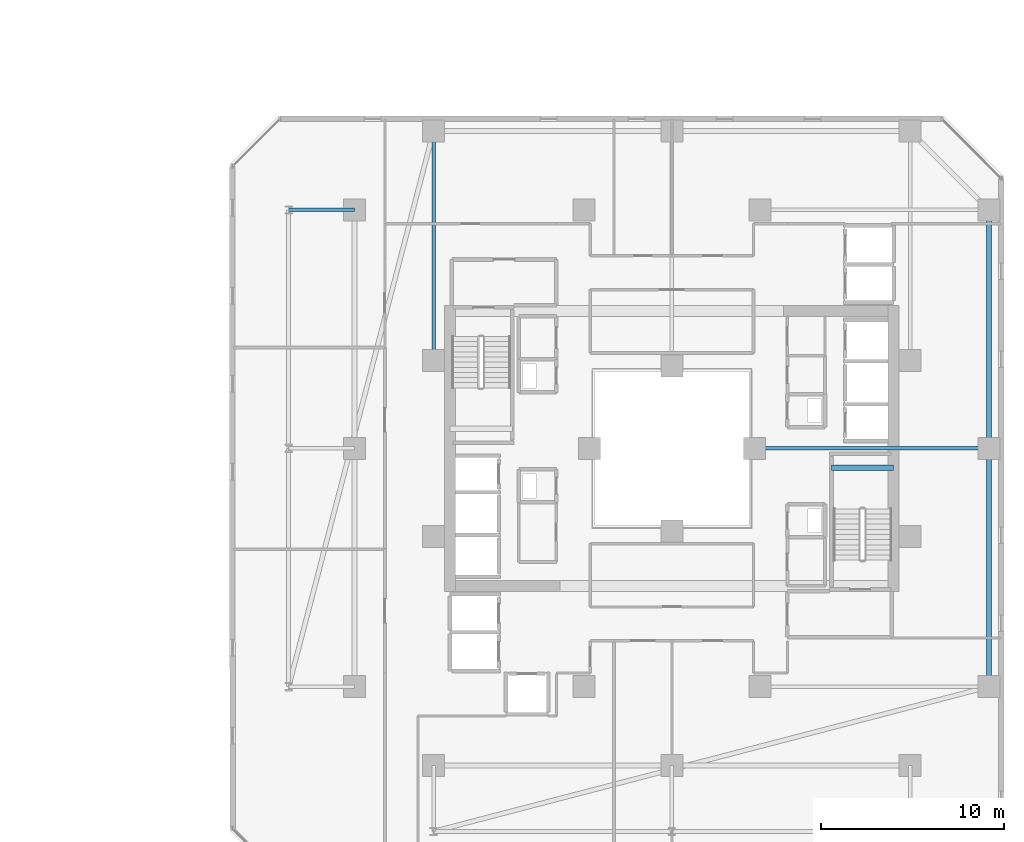
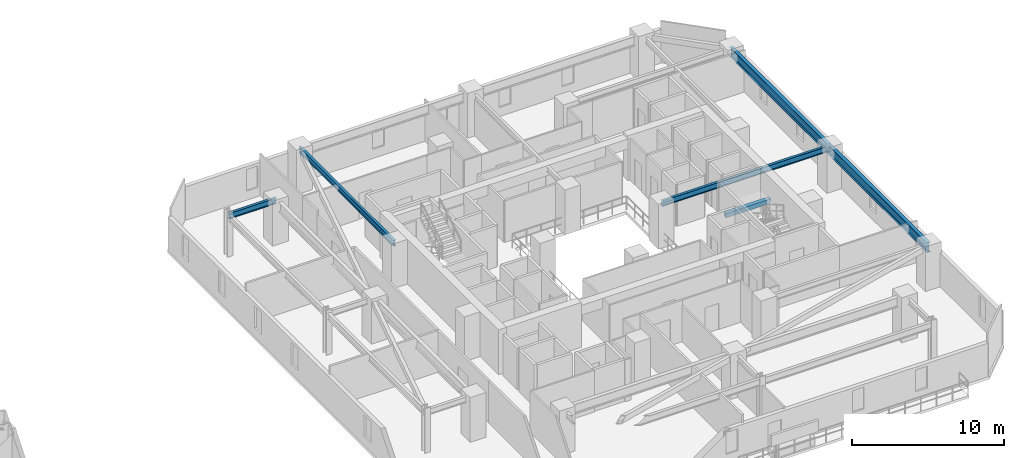
# One storey, part 14 of 33: 6 beams.
"""IFC4 building model written with IfcOpenShell, lengths in metres."""

from ifc_helpers import new_model, si_unit, direction, frame, origin, origin_2d, place, context, subcontext, project, spatial, rectangle, i_section, extrude, material, material_profile, profile_set, type_object, element, save


model = new_model("IFC4")

# Units and contexts
model_context = context("Model", 3, precision=1e-05, world=origin(), true_north=direction((0.0, 1.0)))
body_context = subcontext(model_context, "Body", "Model", "MODEL_VIEW")
ifc_project = project(units=[si_unit("LENGTHUNIT", "METRE"), si_unit("AREAUNIT", "SQUARE_METRE"), si_unit("VOLUMEUNIT", "CUBIC_METRE"), si_unit("PLANEANGLEUNIT", "RADIAN"), si_unit("MASSUNIT", "GRAM", prefix="KILO")], contexts=[model_context])

# Site, building, storey
site_placement = place(None, origin())
site = spatial("IfcSite", under=ifc_project, at=site_placement, CompositionType="ELEMENT")
building_placement = place(site_placement, origin())
building = spatial("IfcBuilding", under=site, at=building_placement, Name="Thornwick Lancets Civic Towers", CompositionType="ELEMENT")
storey_placement = place(building_placement, frame((0.0, 0.0, 108.89990234375)))
storey = spatial("IfcBuildingStorey", under=building, at=storey_placement, Name="L28", CompositionType="ELEMENT", Elevation=108.89990234375)

# Beams
ifc_material_1 = material(Name="Steel S355JR", Category="steel")
ifc_material_profile_1 = material_profile(ifc_material_1, i_section(OverallWidth=0.26806640625, OverallDepth=0.769775390625, WebThickness=0.015625, FlangeThickness=0.025390625, FilletRadius=0.0166015625, at=origin_2d()), Name="UKB 762x267x197")
ifc_profile_set_1 = profile_set([ifc_material_profile_1], Name="Steel S355JR")
beam_type_1 = type_object("IfcBeamType", Name="BM_GIRD_762_197", PredefinedType="BEAM", material=ifc_profile_set_1)
beam_1_placement = place(storey_placement, frame((105.800048828125, 14.0, 2.97509765625), z_axis=(0.0, 1.0, 0.0), x_axis=(-1.0, 0.0, 0.0)))
element("IfcBeam", 1, at=beam_1_placement, inside=storey, type_object=beam_type_1, Name="BM-SPINE-L28-B-0-1", PredefinedType="BEAM", context=body_context, shape_type="SweptSolid", body=[
    extrude(i_section(OverallWidth=0.26806640625, OverallDepth=0.769775390625, WebThickness=0.015625, FlangeThickness=0.025390625, FilletRadius=0.0166015625, at=origin_2d()), origin(), (0.0, 0.0, 1.0), 13.0),
])
beam_2_placement = place(storey_placement, frame((105.800048828125, 27.080078125, 2.97509765625), z_axis=(0.0, 1.0, 0.0), x_axis=(-1.0, 0.0, 0.0)))
element("IfcBeam", 2, at=beam_2_placement, inside=storey, type_object=beam_type_1, Name="BM-SPINE-L28-B-1-2", PredefinedType="BEAM", context=body_context, shape_type="SweptSolid", body=[
    extrude(i_section(OverallWidth=0.26806640625, OverallDepth=0.769775390625, WebThickness=0.015625, FlangeThickness=0.025390625, FilletRadius=0.0166015625, at=origin_2d()), origin(), (0.0, 0.0, 1.0), 12.919921875),
])
ifc_material_profile_2 = material_profile(ifc_material_1, i_section(OverallWidth=0.19189453125, OverallDepth=0.46337890625, WebThickness=0.010498046875, FlangeThickness=0.017578125, FilletRadius=0.01025390625, at=origin_2d()), Name="UKB 457x191x89")
ifc_profile_set_2 = profile_set([ifc_material_profile_2], Name="Steel S355JR")
beam_type_2 = type_object("IfcBeamType", Name="BM_JOIST_457_89", PredefinedType="JOIST", material=ifc_profile_set_2)
beam_3_placement = place(storey_placement, frame((93.0, 27.0, 3.12841796875), z_axis=(1.0, 0.0, 0.0), x_axis=(0.0, 1.0, 0.0)))
element("IfcBeam", 3, at=beam_3_placement, inside=storey, type_object=beam_type_2, Name="BM-RADIN-L28-B02", PredefinedType="JOIST", context=body_context, shape_type="SweptSolid", body=[
    extrude(i_section(OverallWidth=0.19189453125, OverallDepth=0.46337890625, WebThickness=0.010498046875, FlangeThickness=0.017578125, FilletRadius=0.01025390625, at=origin_2d()), origin(), (0.0, 0.0, 1.0), 12.800048828125),
])
beam_4_placement = place(storey_placement, frame((75.5, 31.800048828125, 3.12841796875), z_axis=(0.0, 1.0, 0.0), x_axis=(-1.0, 0.0, 0.0)))
element("IfcBeam", 4, at=beam_4_placement, inside=storey, type_object=beam_type_2, Name="BM-RADIN-L28-B06", PredefinedType="JOIST", context=body_context, shape_type="SweptSolid", body=[
    extrude(i_section(OverallWidth=0.19189453125, OverallDepth=0.46337890625, WebThickness=0.010498046875, FlangeThickness=0.017578125, FilletRadius=0.01025390625, at=origin_2d()), origin(), (0.0, 0.0, 1.0), 12.5),
])
beam_5_placement = place(storey_placement, frame((71.199951171875, 40.0, 3.12841796875), z_axis=(-1.0, 0.0, 0.0), x_axis=(0.0, -1.0, 0.0)))
element("IfcBeam", 5, at=beam_5_placement, inside=storey, type_object=beam_type_2, Name="BM-RAD-L28-B09", PredefinedType="JOIST", context=body_context, shape_type="SweptSolid", body=[
    extrude(i_section(OverallWidth=0.19189453125, OverallDepth=0.46337890625, WebThickness=0.010498046875, FlangeThickness=0.017578125, FilletRadius=0.01025390625, at=origin_2d()), origin(), (0.0, 0.0, 1.0), 3.599853515625),
])
ifc_material_2 = material(Name="Concrete C40/50", Category="concrete")
ifc_material_profile_3 = material_profile(ifc_material_2, rectangle(XDim=0.300048828125, YDim=0.35009765625, at=origin_2d()), Name="RC 300x350")
ifc_profile_set_3 = profile_set([ifc_material_profile_3], Name="Concrete C40/50")
beam_type_3 = type_object("IfcBeamType", Name="BM_STAIR_LDG", PredefinedType="BEAM", material=ifc_profile_set_3)
beam_6_placement = place(storey_placement, frame((100.60009765625, 25.93505859375, 1.378173828125), z_axis=(-1.0, 0.0, 0.0), x_axis=(0.0, -1.0, 0.0)))
element("IfcBeam", 6, at=beam_6_placement, inside=storey, type_object=beam_type_3, Name="L28 ST-B1 Landing Support Beam 1", PredefinedType="BEAM", context=body_context, shape_type="SweptSolid", body=[
    extrude(rectangle(XDim=0.300048828125, YDim=0.35009765625, at=origin_2d()), origin(), (0.0, 0.0, 1.0), 3.400146484375),
])

save(model, "model.ifc")
